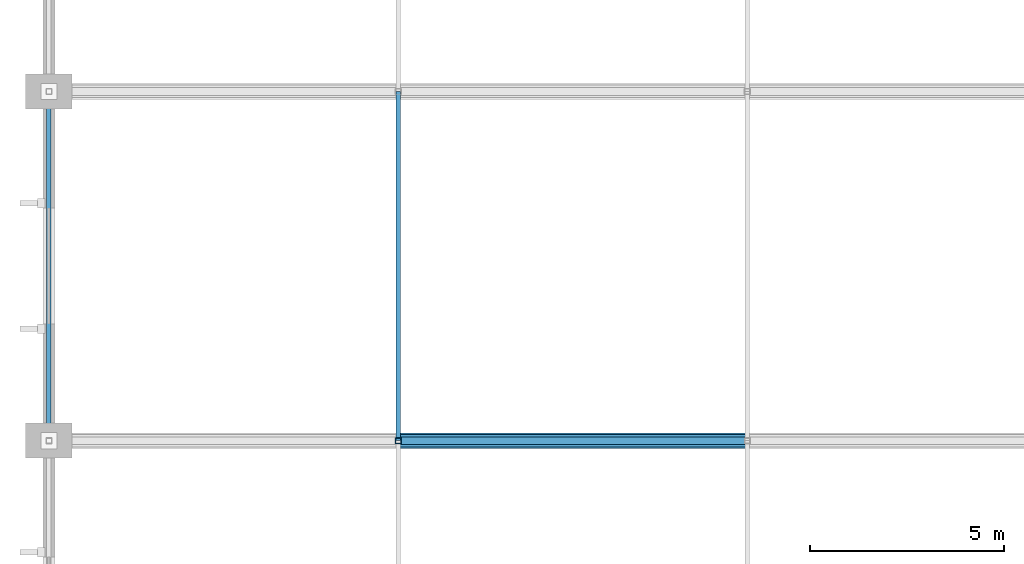
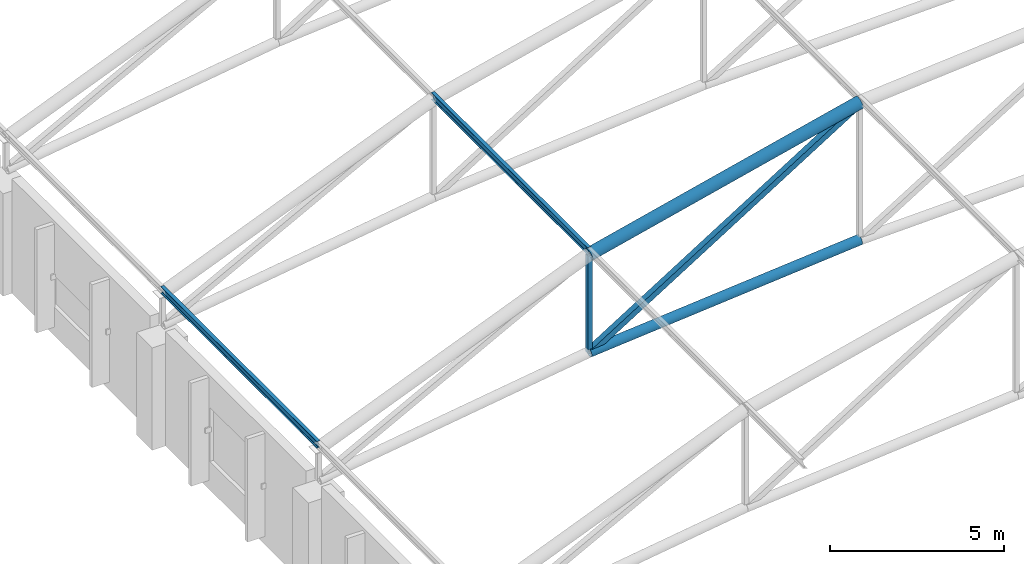
# One storey, part 44 of 167: 6 members.
"""IFC4 building model written with IfcOpenShell, lengths in metres."""

from ifc_helpers import new_model, si_unit, direction, frame, origin, origin_2d, place, context, subcontext, project, spatial, hollow_rectangle, hollow_circle, i_section, extrude, material, material_profile, profile_set, type_object, element, save


model = new_model("IFC4")

# Units and contexts
model_context = context("Model", 3, precision=1e-05, world=origin(), true_north=direction((0.0, 1.0)))
body_context = subcontext(model_context, "Body", "Model", "MODEL_VIEW")
ifc_project = project(units=[si_unit("LENGTHUNIT", "METRE"), si_unit("AREAUNIT", "SQUARE_METRE"), si_unit("VOLUMEUNIT", "CUBIC_METRE"), si_unit("PLANEANGLEUNIT", "RADIAN"), si_unit("MASSUNIT", "GRAM", prefix="KILO")], contexts=[model_context])

# Site, building, storey
site_placement = place(None, origin())
site = spatial("IfcSite", under=ifc_project, at=site_placement, CompositionType="ELEMENT")
building_placement = place(site_placement, origin())
building = spatial("IfcBuilding", under=site, at=building_placement, Name="Dornveld Trade and Exhibition Forum", CompositionType="ELEMENT")
storey_placement = place(building_placement, frame((0.0, 0.0, 16.800048828125)))
storey = spatial("IfcBuildingStorey", under=building, at=storey_placement, Name="L03", CompositionType="ELEMENT", Elevation=16.800048828125)

# Members
ifc_material_1 = material(Name="Steel S355J2", Category="steel")
ifc_material_profile_1 = material_profile(ifc_material_1, hollow_circle(Radius=0.161865234375, WallThickness=0.01611328125, at=origin_2d()), Name="CHS 323.9x16")
ifc_profile_set_1 = profile_set([ifc_material_profile_1], Name="Steel S355J2")
member_type_1 = type_object("IfcMemberType", Name="MEM-ARCH-BC", PredefinedType="CHORD", material=ifc_profile_set_1)
member_1_placement = place(storey_placement, frame((36.0, 90.0, 5.283203125), z_axis=(0.996072164085, 0.0, 0.088545151956), x_axis=(0.0, 1.0, 0.0)))
element("IfcMember", 1, at=member_1_placement, inside=storey, type_object=member_type_1, Name="H3 truss 7 tie chord 2", PredefinedType="CHORD", context=body_context, shape_type="SweptSolid", body=[
    extrude(hollow_circle(Radius=0.161865234375, WallThickness=0.01611328125, at=origin_2d()), origin(), (0.0, 0.0, 1.0), 9.035400390625),
])
ifc_material_2 = material(Name="Steel S355J2", Category="steel")
ifc_material_profile_2 = material_profile(ifc_material_2, hollow_rectangle(XDim=0.14990234375, YDim=0.14990234375, WallThickness=0.008056640625, at=origin_2d()), Name="SHS 150x150x8")
ifc_profile_set_2 = profile_set([ifc_material_profile_2], Name="Steel S355J2")
member_type_2 = type_object("IfcMemberType", Name="MEM-ARCH-STR", PredefinedType="STRUT", material=ifc_profile_set_2)
member_2_placement = place(storey_placement, frame((36.0, 90.0, 5.283203125), z_axis=(0.0, 0.0, 1.0), x_axis=(1.0, 0.0, 0.0)))
element("IfcMember", 2, at=member_2_placement, inside=storey, type_object=member_type_2, Name="H3 truss 7 strut 2", PredefinedType="STRUT", context=body_context, shape_type="SweptSolid", body=[
    extrude(hollow_rectangle(XDim=0.14990234375, YDim=0.14990234375, WallThickness=0.008056640625, at=origin_2d()), origin(), (0.0, 0.0, 1.0), 3.433349609375),
])
ifc_material_3 = material(Name="Steel S355J2", Category="steel")
ifc_material_profile_3 = material_profile(ifc_material_3, hollow_circle(Radius=0.203125, WallThickness=0.02001953125, at=origin_2d()), Name="CHS 406.4x20")
ifc_profile_set_3 = profile_set([ifc_material_profile_3], Name="Steel S355J2")
member_type_3 = type_object("IfcMemberType", Name="MEM-ARCH-TC", PredefinedType="CHORD", material=ifc_profile_set_3)
member_3_placement = place(storey_placement, frame((36.0, 90.0, 8.716552734375), z_axis=(0.971394143806, 0.0, 0.237472982421), x_axis=(0.0, 1.0, 0.0)))
element("IfcMember", 3, at=member_3_placement, inside=storey, type_object=member_type_3, Name="H3 truss 7 top chord 2", PredefinedType="CHORD", context=body_context, shape_type="SweptSolid", body=[
    extrude(hollow_circle(Radius=0.203125, WallThickness=0.02001953125, at=origin_2d()), origin(), (0.0, 0.0, 1.0), 9.26513671875),
])
ifc_material_4 = material(Name="Steel S355J2", Category="steel")
ifc_material_profile_4 = material_profile(ifc_material_4, hollow_rectangle(XDim=0.199951171875, YDim=0.199951171875, WallThickness=0.010009765625, at=origin_2d()), Name="SHS 200x200x10")
ifc_profile_set_4 = profile_set([ifc_material_profile_4], Name="Steel S355J2")
member_type_4 = type_object("IfcMemberType", Name="MEM-ARCH-WEB", PredefinedType="BRACE", material=ifc_profile_set_4)
member_4_placement = place(storey_placement, frame((36.0, 90.0, 5.283203125), z_axis=(0.84763640931, 0.0, 0.53057753214), x_axis=(0.0, 1.0, 0.0)))
element("IfcMember", 4, at=member_4_placement, inside=storey, type_object=member_type_4, Name="H3 truss 7 web 2", PredefinedType="BRACE", context=body_context, shape_type="SweptSolid", body=[
    extrude(hollow_rectangle(XDim=0.199951171875, YDim=0.199951171875, WallThickness=0.010009765625, at=origin_2d()), origin(), (0.0, 0.0, 1.0), 10.61767578125),
])
ifc_material_5 = material(Name="Steel S355J2", Category="steel")
ifc_material_profile_5 = material_profile(ifc_material_5, i_section(OverallWidth=0.1201171875, OverallDepth=0.239990234375, WebThickness=0.006103515625, FlangeThickness=0.009765625, FilletRadius=0.014892578125, at=origin_2d()), Name="IPE 240")
ifc_profile_set_5 = profile_set([ifc_material_profile_5], Name="Steel S355J2")
member_type_5 = type_object("IfcMemberType", Name="MEM-PURLIN-240", PredefinedType="PURLIN", material=ifc_profile_set_5)
for number, where, z_axis, x_axis, name in (
    (5, (27.0, 90.0, 5.181884765625), (0.0, 1.0, 0.0), (-1.0, 0.0, 0.0), "H3 bay 7 roof purlin 1"),
    (6, (36.0, 90.0, 8.8486328125), (0.0, 1.0, 0.0), (-1.0, 0.0, 0.0), "H3 bay 7 roof purlin 2"),
):
    element("IfcMember", number, at=place(storey_placement, frame(where, z_axis=z_axis, x_axis=x_axis)), inside=storey, type_object=member_type_5, Name=name, PredefinedType="PURLIN", context=body_context, shape_type="SweptSolid", body=[
        extrude(i_section(OverallWidth=0.1201171875, OverallDepth=0.239990234375, WebThickness=0.006103515625, FlangeThickness=0.009765625, FilletRadius=0.014892578125, at=origin_2d()), origin(), (0.0, 0.0, 1.0), 9.0),
    ])

save(model, "model.ifc")
